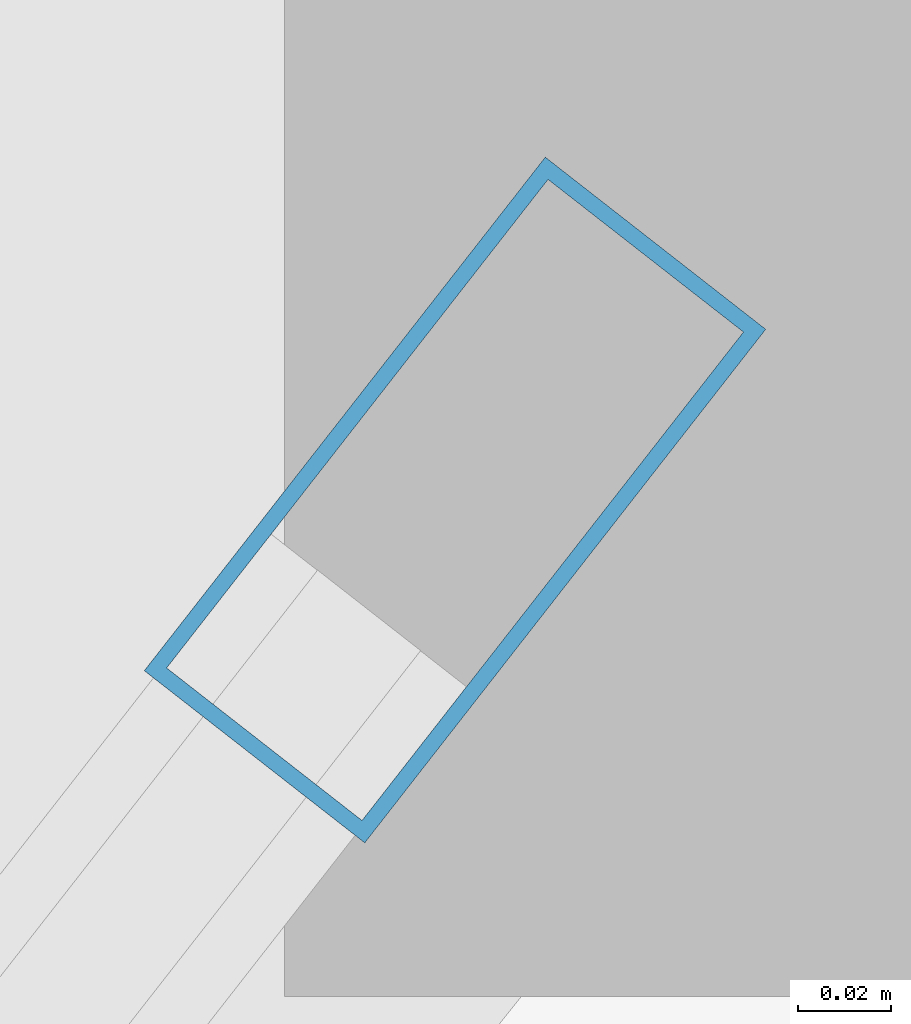
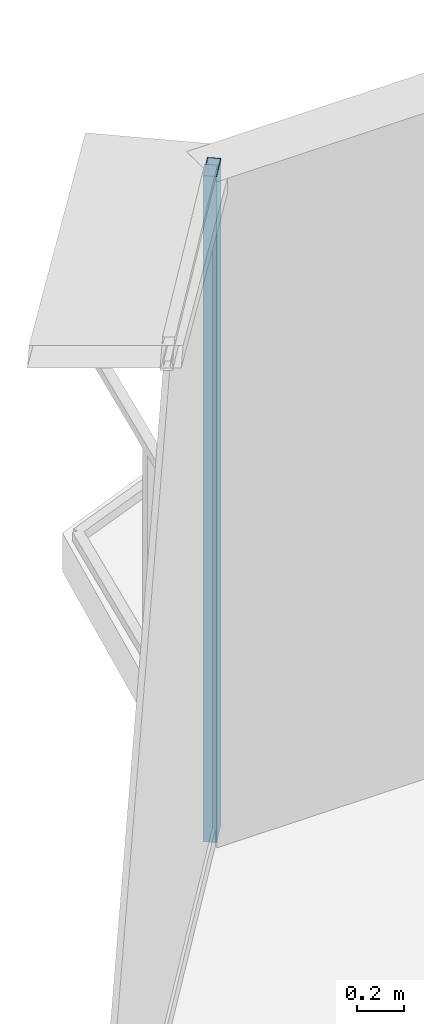
# One storey, part 21 of 37: 1 member, 1 element without a shape of its own.
"""IFC4 building model written with IfcOpenShell, lengths in metres."""

from ifc_helpers import new_model, si_unit, direction, frame, origin, origin_2d, place, context, subcontext, project, spatial, hollow_rectangle, extrude, source, transform, mapped, material, layer, layer_set, material_profile, profile_set, type_object, element, aggregate, save


model = new_model("IFC4")

# Units and contexts
model_context = context("Model", 3, precision=1e-05, world=origin(), true_north=direction((0.0, 1.0)))
body_context = subcontext(model_context, "Body", "Model", "MODEL_VIEW")
ifc_project = project(units=[si_unit("LENGTHUNIT", "METRE"), si_unit("AREAUNIT", "SQUARE_METRE"), si_unit("VOLUMEUNIT", "CUBIC_METRE"), si_unit("PLANEANGLEUNIT", "RADIAN"), si_unit("MASSUNIT", "GRAM", prefix="KILO"), si_unit("THERMODYNAMICTEMPERATUREUNIT", "KELVIN"), si_unit("POWERUNIT", "WATT")], contexts=[model_context])

# Site, building, storey
site_placement = place(None, origin())
site = spatial("IfcSite", under=ifc_project, at=site_placement, CompositionType="ELEMENT")
building_placement = place(site_placement, origin())
building = spatial("IfcBuilding", under=site, at=building_placement, Name="Yunzhuo Pagoda Commons", CompositionType="ELEMENT")
storey_placement = place(building_placement, frame((0.0, 0.0, 255.719970703125)))
storey = spatial("IfcBuildingStorey", under=building, at=storey_placement, Name="L64", CompositionType="ELEMENT", Elevation=255.719970703125)

# Curtain wall, member
ifc_material = material(Name="Anodized aluminium 6063-T6", Category="aluminium")
ifc_layer = layer(ifc_material, 0.139892578125)
ifc_layer_set = layer_set([ifc_layer], Name="Anodized aluminium 6063-T6")
curtain_wall_type = type_object("IfcCurtainWallType", Name="CW-HI High-Zone Ribbon Curtain Wall", PredefinedType="NOTDEFINED", material=ifc_layer_set)
curtain_wall_placement = place(storey_placement, origin())
curtain_wall = element("IfcCurtainWall", 1, at=curtain_wall_placement, inside=storey, type_object=curtain_wall_type, Name="L64 curtain wall CW-L64-F3B1", PredefinedType="NOTDEFINED")
ifc_material_profile = material_profile(ifc_material, hollow_rectangle(XDim=0.06005859375, YDim=0.139892578125, WallThickness=0.00341796875, at=origin_2d()), Name="Anodized aluminium 6063-T6")
ifc_profile_set = profile_set([ifc_material_profile], Name="Anodized aluminium 6063-T6")
member_type = type_object("IfcMemberType", Name="CW-HI-M Mullion RHS 140x60x3.5", PredefinedType="MULLION", material=ifc_profile_set)
shared_shape = source(origin(), body_context, "Body", "SweptSolid", [
    extrude(hollow_rectangle(XDim=0.06005859375, YDim=0.139892578125, WallThickness=0.00341796875, at=origin_2d()), origin(), (0.0, 0.0, 1.0), 3.469970703125),
])
member_placement = place(storey_placement, frame((44.210205078125, 78.773681640625, 0.0), z_axis=(0.0, 0.0, 1.0), x_axis=(0.788189580024, -0.615432519405, 0.0)))
member = element("IfcMember", 2, at=member_placement, type_object=member_type, Name="CW mullion 1", PredefinedType="MULLION", context=body_context, shape_type="MappedRepresentation", body=[
    mapped(shared_shape, transform((0.0, 0.0, 0.0), scale=1.0)),
])
aggregate(curtain_wall, [member])

save(model, "model.ifc")
